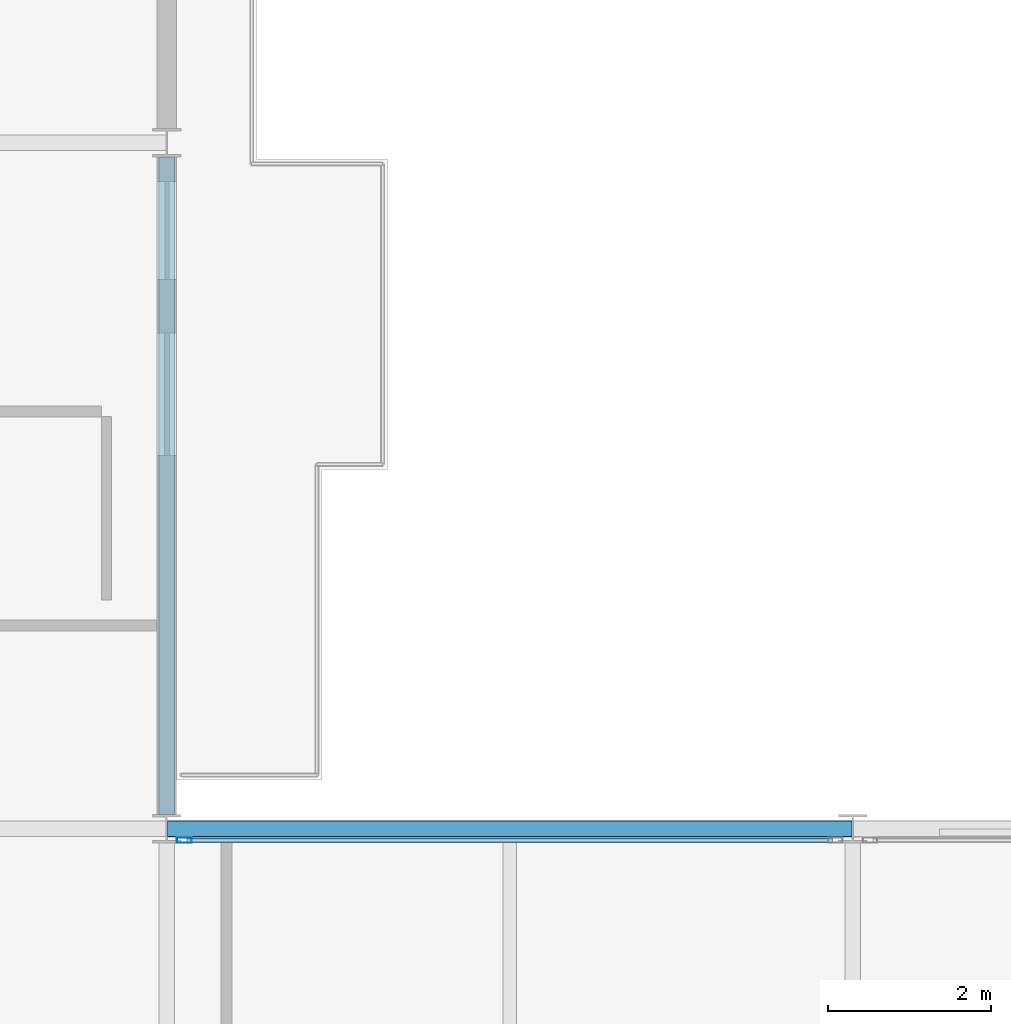
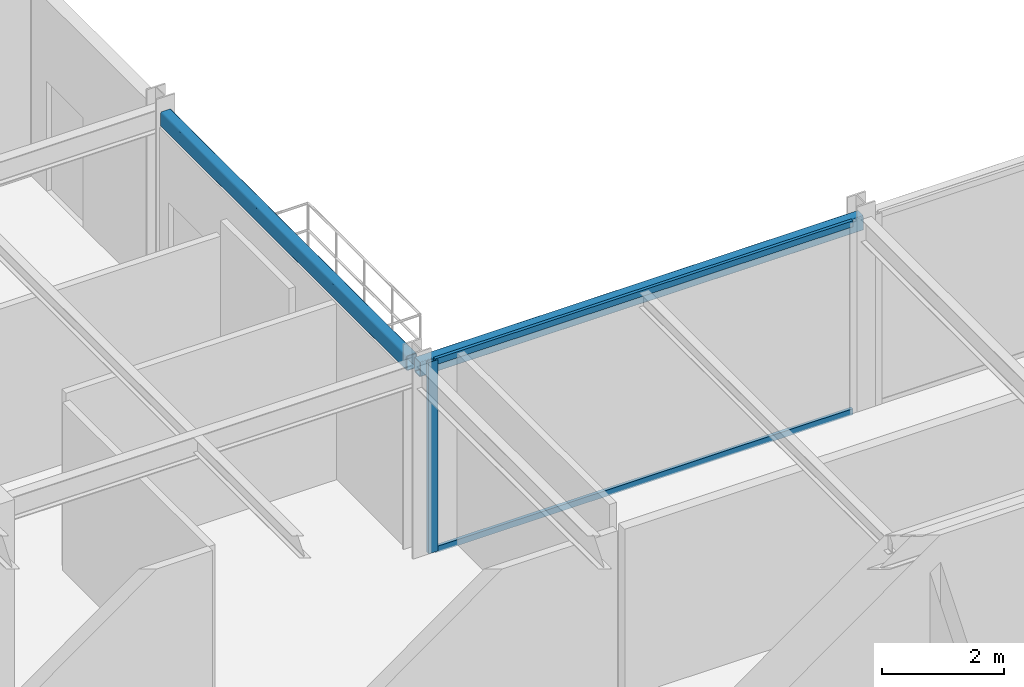
# One storey, part 12 of 25: 3 members, 2 beams, 1 element without a shape of its own.
"""IFC4 building model written with IfcOpenShell, lengths in metres."""

from ifc_helpers import new_model, si_unit, direction, frame, origin, origin_2d, place, context, subcontext, project, spatial, hollow_rectangle, extrude, material, layer, layer_set, material_profile, profile_set, type_object, element, aggregate, save


model = new_model("IFC4")

# Units and contexts
model_context = context("Model", 3, precision=1e-05, world=origin(), true_north=direction((0.0, 1.0)))
body_context = subcontext(model_context, "Body", "Model", "MODEL_VIEW")
ifc_project = project(units=[si_unit("LENGTHUNIT", "METRE"), si_unit("AREAUNIT", "SQUARE_METRE"), si_unit("VOLUMEUNIT", "CUBIC_METRE"), si_unit("PLANEANGLEUNIT", "RADIAN"), si_unit("MASSUNIT", "GRAM", prefix="KILO")], contexts=[model_context])

# Site, building, storey
site_placement = place(None, origin())
site = spatial("IfcSite", under=ifc_project, at=site_placement, CompositionType="ELEMENT")
building_placement = place(site_placement, origin())
building = spatial("IfcBuilding", under=site, at=building_placement, Name="Nerrivon Quay Data Exchange", CompositionType="ELEMENT")
storey_placement = place(building_placement, frame((0.0, 0.0, 237.0)))
storey = spatial("IfcBuildingStorey", under=building, at=storey_placement, Name="L56", CompositionType="ELEMENT", Elevation=237.0)

# Beams
ifc_material_1 = material(Name="Steel Grade C350L0 (350 MPa)", Category="steel")
ifc_material_profile_1 = material_profile(ifc_material_1, hollow_rectangle(XDim=0.199951171875, YDim=0.300048828125, WallThickness=0.012451171875, InnerFilletRadius=0.018798828125, OuterFilletRadius=0.03125, at=origin_2d()), Name="300x200x12.5RHS")
ifc_profile_set_1 = profile_set([ifc_material_profile_1], Name="Steel Grade C350L0 (350 MPa)")
beam_type = type_object("IfcBeamType", Name="BM-SP3-300x200RHS", PredefinedType="SPANDREL", material=ifc_profile_set_1)
beam_1_placement = place(storey_placement, frame((25.2099609375, 25.199951171875, 3.675048828125), z_axis=(1.0, 0.0, 0.0), x_axis=(0.0, 1.0, 0.0)))
element("IfcBeam", 1, at=beam_1_placement, inside=storey, type_object=beam_type, Name="L56 EW Girder Y=25.2 (25.2..33.6)", PredefinedType="SPANDREL", context=body_context, shape_type="SweptSolid", body=[
    extrude(hollow_rectangle(XDim=0.199951171875, YDim=0.300048828125, WallThickness=0.012451171875, InnerFilletRadius=0.018798828125, OuterFilletRadius=0.03125, at=origin_2d()), origin(), (0.0, 0.0, 1.0), 8.380126953125),
])
beam_2_placement = place(storey_placement, frame((25.199951171875, 25.375, 3.675048828125), z_axis=(0.0, 1.0, 0.0), x_axis=(-1.0, 0.0, 0.0)))
element("IfcBeam", 2, at=beam_2_placement, inside=storey, type_object=beam_type, Name="L56 NS Girder X=25.2 (25.2..33.6)", PredefinedType="SPANDREL", context=body_context, shape_type="SweptSolid", body=[
    extrude(hollow_rectangle(XDim=0.199951171875, YDim=0.300048828125, WallThickness=0.012451171875, InnerFilletRadius=0.018798828125, OuterFilletRadius=0.03125, at=origin_2d()), origin(), (0.0, 0.0, 1.0), 8.050048828125),
])

# Curtain wall, members
ifc_material_2 = material(Name="Anodised aluminium 6063-T6", Category="aluminium")
ifc_layer = layer(ifc_material_2, 0.195068359375)
ifc_layer_set = layer_set([ifc_layer], Name="Anodised aluminium 6063-T6")
curtain_wall_type = type_object("IfcCurtainWallType", Name="CW-SYS-06", PredefinedType="NOTDEFINED", material=ifc_layer_set)
curtain_wall_placement = place(storey_placement, origin())
curtain_wall = element("IfcCurtainWall", 3, at=curtain_wall_placement, inside=storey, type_object=curtain_wall_type, Name="L56 Unitised Curtain Wall 24", PredefinedType="NOTDEFINED")
ifc_material_profile_2 = material_profile(ifc_material_2, hollow_rectangle(XDim=0.06494140625, YDim=0.179931640625, WallThickness=0.00341796875, at=origin_2d()), Name="ALU-MULL-180x65")
ifc_profile_set_2 = profile_set([ifc_material_profile_2], Name="Anodised aluminium 6063-T6")
member_type_1 = type_object("IfcMemberType", Name="CWM-180x65", PredefinedType="MULLION", material=ifc_profile_set_2)
member_1_placement = place(storey_placement, frame((25.41259765625, 25.06005859375, 0.0), z_axis=(0.0, 0.0, 1.0), x_axis=(0.0, 1.0, 0.0)))
member_1 = element("IfcMember", 4, at=member_1_placement, type_object=member_type_1, Name="CW06 mullion 1", PredefinedType="MULLION", context=body_context, shape_type="SweptSolid", body=[
    extrude(hollow_rectangle(XDim=0.06494140625, YDim=0.179931640625, WallThickness=0.00341796875, at=origin_2d()), origin(), (0.0, 0.0, 1.0), 3.824951171875),
])
ifc_material_profile_3 = material_profile(ifc_material_2, hollow_rectangle(XDim=0.06005859375, YDim=0.1201171875, WallThickness=0.003173828125, at=origin_2d()), Name="ALU-TRAN-120x60")
ifc_profile_set_3 = profile_set([ifc_material_profile_3], Name="Anodised aluminium 6063-T6")
member_type_2 = type_object("IfcMemberType", Name="CWT-120x60", PredefinedType="USERDEFINED", material=ifc_profile_set_3)
member_2_placement = place(storey_placement, frame((25.449951171875, 25.06005859375, 0.032470703125), z_axis=(1.0, 0.0, 0.0), x_axis=(0.0, 1.0, 0.0)))
member_2 = element("IfcMember", 5, at=member_2_placement, type_object=member_type_2, Name="CW06 transom 1.1", ObjectType="TRANSOM", PredefinedType="USERDEFINED", context=body_context, shape_type="SweptSolid", body=[
    extrude(hollow_rectangle(XDim=0.06005859375, YDim=0.1201171875, WallThickness=0.003173828125, at=origin_2d()), origin(), (0.0, 0.0, 1.0), 7.900146484375),
])
member_3_placement = place(storey_placement, frame((25.449951171875, 25.06005859375, 3.79248046875), z_axis=(1.0, 0.0, 0.0), x_axis=(0.0, 1.0, 0.0)))
member_3 = element("IfcMember", 6, at=member_3_placement, type_object=member_type_2, Name="CW06 transom 1.2", ObjectType="TRANSOM", PredefinedType="USERDEFINED", context=body_context, shape_type="SweptSolid", body=[
    extrude(hollow_rectangle(XDim=0.06005859375, YDim=0.1201171875, WallThickness=0.003173828125, at=origin_2d()), origin(), (0.0, 0.0, 1.0), 7.900146484375),
])
aggregate(curtain_wall, [member_1, member_2, member_3])

save(model, "model.ifc")
